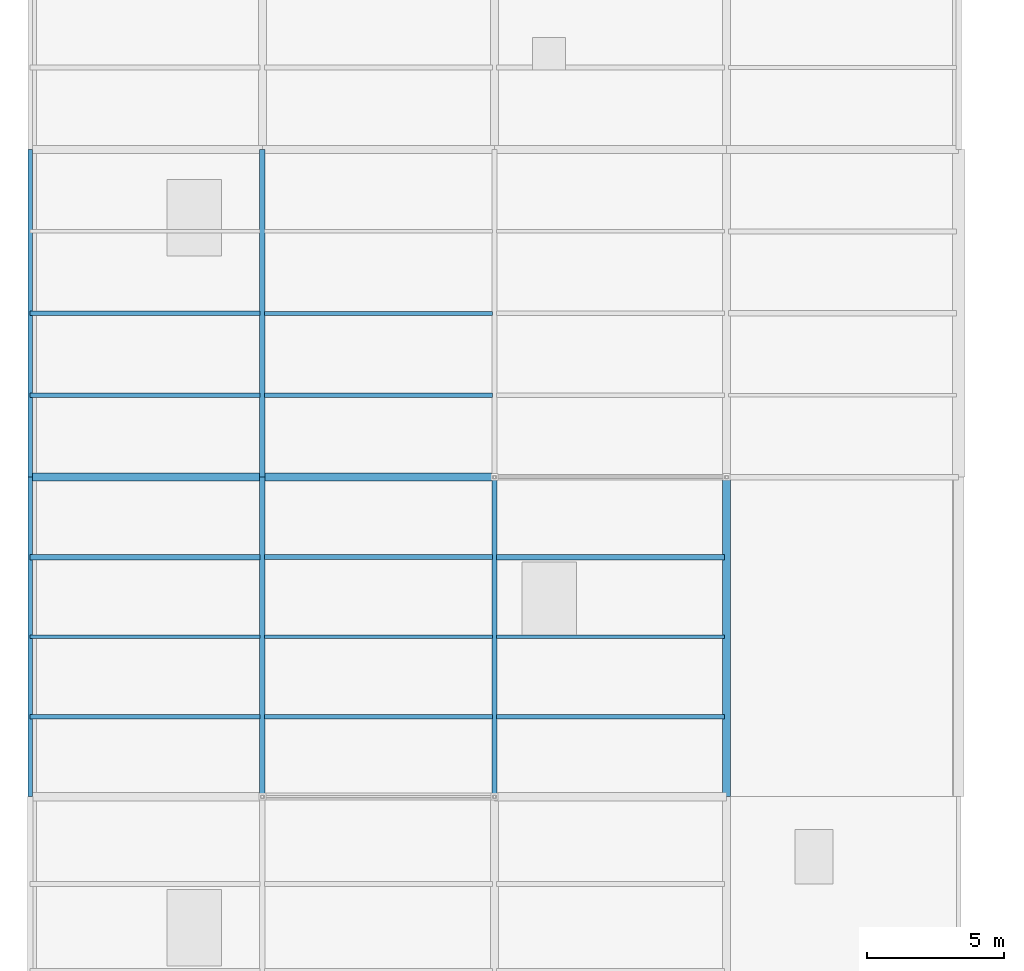
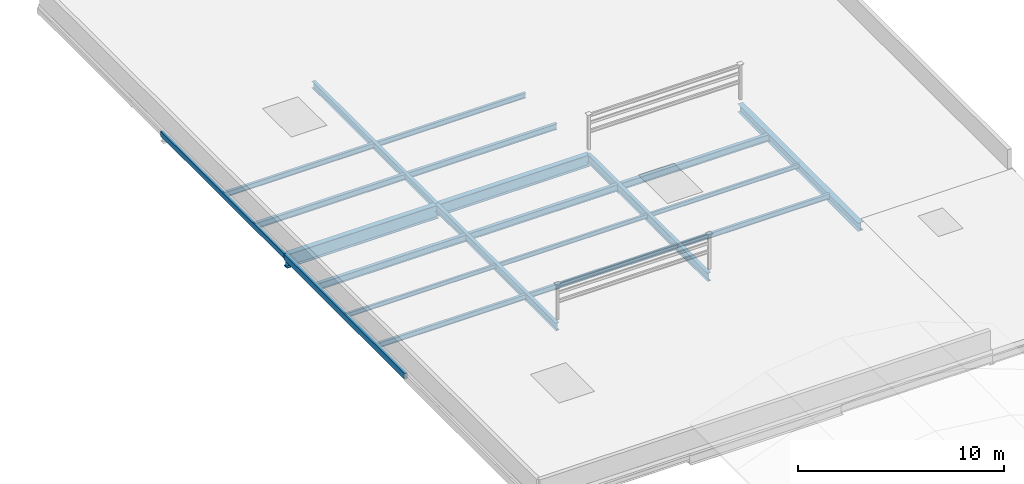
# One storey, part 12 of 66: 21 beams.
"""IFC4 building model written with IfcOpenShell, lengths in metres."""

from ifc_helpers import new_model, si_unit, direction, frame, origin, origin_2d, place, context, subcontext, project, spatial, hollow_rectangle, i_section, extrude, material, material_profile, profile_set, type_object, element, save


model = new_model("IFC4")

# Units and contexts
model_context = context("Model", 3, precision=1e-05, world=origin(), true_north=direction((0.0, 1.0)))
body_context = subcontext(model_context, "Body", "Model", "MODEL_VIEW")
ifc_project = project(units=[si_unit("LENGTHUNIT", "METRE"), si_unit("AREAUNIT", "SQUARE_METRE"), si_unit("VOLUMEUNIT", "CUBIC_METRE"), si_unit("PLANEANGLEUNIT", "RADIAN"), si_unit("MASSUNIT", "GRAM", prefix="KILO")], contexts=[model_context])

# Site, building, storey
site_placement = place(None, origin())
site = spatial("IfcSite", under=ifc_project, at=site_placement, CompositionType="ELEMENT")
building_placement = place(site_placement, origin())
building = spatial("IfcBuilding", under=site, at=building_placement, Name="Solvikara Media Centre", CompositionType="ELEMENT")
storey_placement = place(building_placement, frame((0.0, 0.0, 19.800048828125)))
storey = spatial("IfcBuildingStorey", under=building, at=storey_placement, Name="L04", CompositionType="ELEMENT", Elevation=19.800048828125)

# Beams
ifc_material = material(Name="Steel S355JR", Category="steel")
ifc_material_profile_1 = material_profile(ifc_material, i_section(OverallWidth=0.300048828125, OverallDepth=0.800048828125, WebThickness=0.013916015625, FlangeThickness=0.02587890625, at=origin_2d()), Name="WF 800x300x14x26")
ifc_profile_set_1 = profile_set([ifc_material_profile_1], Name="Steel S355JR")
beam_type_1 = type_object("IfcBeamType", Name="BM-16", PredefinedType="BEAM", material=ifc_profile_set_1)
beam_1_placement = place(storey_placement, frame((0.0, 56.5, -0.632080078125), z_axis=(1.0, 0.0, 0.0), x_axis=(0.0, 1.0, 0.0)))
element("IfcBeam", 1, at=beam_1_placement, inside=storey, type_object=beam_type_1, Name="B-L04-X1471", PredefinedType="BEAM", context=body_context, shape_type="SweptSolid", body=[
    extrude(i_section(OverallWidth=0.300048828125, OverallDepth=0.800048828125, WebThickness=0.013916015625, FlangeThickness=0.02587890625, at=origin_2d()), origin(), (0.0, 0.0, 1.0), 8.5),
])
ifc_material_profile_2 = material_profile(ifc_material, i_section(OverallWidth=0.300048828125, OverallDepth=0.699951171875, WebThickness=0.012939453125, FlangeThickness=0.02392578125, at=origin_2d()), Name="WF 700x300x13x24")
ifc_profile_set_2 = profile_set([ifc_material_profile_2], Name="Steel S355JR")
beam_type_2 = type_object("IfcBeamType", Name="BM-17", PredefinedType="BEAM", material=ifc_profile_set_2)
beam_2_placement = place(storey_placement, frame((8.5, 56.5, -0.58203125), z_axis=(1.0, 0.0, 0.0), x_axis=(0.0, 1.0, 0.0)))
element("IfcBeam", 2, at=beam_2_placement, inside=storey, type_object=beam_type_2, Name="B-L04-X1472", PredefinedType="BEAM", context=body_context, shape_type="SweptSolid", body=[
    extrude(i_section(OverallWidth=0.300048828125, OverallDepth=0.699951171875, WebThickness=0.012939453125, FlangeThickness=0.02392578125, at=origin_2d()), origin(), (0.0, 0.0, 1.0), 8.5),
])
ifc_material_profile_3 = material_profile(ifc_material, i_section(OverallWidth=0.199951171875, OverallDepth=0.5, WebThickness=0.010009765625, FlangeThickness=0.01611328125, at=origin_2d()), Name="WF 500x200x10x16")
ifc_profile_set_3 = profile_set([ifc_material_profile_3], Name="Steel S355JR")
beam_type_3 = type_object("IfcBeamType", Name="BM-19", PredefinedType="BEAM", material=ifc_profile_set_3)
beam_3_placement = place(storey_placement, frame((17.0, 44.800048828125, -0.48193359375), z_axis=(0.0, 1.0, 0.0), x_axis=(-1.0, 0.0, 0.0)))
element("IfcBeam", 3, at=beam_3_placement, inside=storey, type_object=beam_type_3, Name="B-L04-Y1501", PredefinedType="BEAM", context=body_context, shape_type="SweptSolid", body=[
    extrude(i_section(OverallWidth=0.199951171875, OverallDepth=0.5, WebThickness=0.010009765625, FlangeThickness=0.01611328125, at=origin_2d()), origin(), (0.0, 0.0, 1.0), 11.699951171875),
])
ifc_material_profile_4 = material_profile(ifc_material, i_section(OverallWidth=0.199951171875, OverallDepth=0.39990234375, WebThickness=0.008056640625, FlangeThickness=0.012939453125, at=origin_2d()), Name="WF 400x200x8x13")
ifc_profile_set_4 = profile_set([ifc_material_profile_4], Name="Steel S355JR")
beam_type_4 = type_object("IfcBeamType", Name="BM-21", PredefinedType="JOIST", material=ifc_profile_set_4)
beam_4_placement = place(storey_placement, frame((0.0, 53.574951171875, -0.43212890625), z_axis=(1.0, 0.0, 0.0), x_axis=(0.0, 1.0, 0.0)))
element("IfcBeam", 4, at=beam_4_placement, inside=storey, type_object=beam_type_4, Name="J-L04-1553", PredefinedType="JOIST", context=body_context, shape_type="SweptSolid", body=[
    extrude(i_section(OverallWidth=0.199951171875, OverallDepth=0.39990234375, WebThickness=0.008056640625, FlangeThickness=0.012939453125, at=origin_2d()), origin(), (0.0, 0.0, 1.0), 8.422119140625),
])
beam_5_placement = place(storey_placement, frame((17.077880859375, 53.574951171875, -0.43212890625), z_axis=(1.0, 0.0, 0.0), x_axis=(0.0, 1.0, 0.0)))
element("IfcBeam", 5, at=beam_5_placement, inside=storey, type_object=beam_type_4, Name="J-L04-1577", PredefinedType="JOIST", context=body_context, shape_type="SweptSolid", body=[
    extrude(i_section(OverallWidth=0.199951171875, OverallDepth=0.39990234375, WebThickness=0.008056640625, FlangeThickness=0.012939453125, at=origin_2d()), origin(), (0.0, 0.0, 1.0), 8.34423828125),
])
ifc_material_profile_5 = material_profile(ifc_material, i_section(OverallWidth=0.175048828125, OverallDepth=0.35009765625, WebThickness=0.007080078125, FlangeThickness=0.010986328125, at=origin_2d()), Name="WF 350x175x7x11")
ifc_profile_set_5 = profile_set([ifc_material_profile_5], Name="Steel S355JR")
beam_type_5 = type_object("IfcBeamType", Name="BM-22", PredefinedType="JOIST", material=ifc_profile_set_5)
beam_6_placement = place(storey_placement, frame((0.0, 59.5, -0.406982421875), z_axis=(1.0, 0.0, 0.0), x_axis=(0.0, 1.0, 0.0)))
element("IfcBeam", 6, at=beam_6_placement, inside=storey, type_object=beam_type_5, Name="J-L04-1554", PredefinedType="JOIST", context=body_context, shape_type="SweptSolid", body=[
    extrude(i_section(OverallWidth=0.175048828125, OverallDepth=0.35009765625, WebThickness=0.007080078125, FlangeThickness=0.010986328125, at=origin_2d()), origin(), (0.0, 0.0, 1.0), 8.422119140625),
])
ifc_material_profile_6 = material_profile(ifc_material, i_section(OverallWidth=0.14990234375, OverallDepth=0.300048828125, WebThickness=0.006591796875, FlangeThickness=0.009033203125, at=origin_2d()), Name="WF 300x150x6.5x9")
ifc_profile_set_6 = profile_set([ifc_material_profile_6], Name="Steel S355JR")
beam_type_6 = type_object("IfcBeamType", Name="BM-23", PredefinedType="JOIST", material=ifc_profile_set_6)
beam_7_placement = place(storey_placement, frame((0.0, 62.5, -0.382080078125), z_axis=(1.0, 0.0, 0.0), x_axis=(0.0, 1.0, 0.0)))
element("IfcBeam", 7, at=beam_7_placement, inside=storey, type_object=beam_type_6, Name="J-L04-1555", PredefinedType="JOIST", context=body_context, shape_type="SweptSolid", body=[
    extrude(i_section(OverallWidth=0.14990234375, OverallDepth=0.300048828125, WebThickness=0.006591796875, FlangeThickness=0.009033203125, at=origin_2d()), origin(), (0.0, 0.0, 1.0), 8.422119140625),
])
beam_8_placement = place(storey_placement, frame((8.577880859375, 47.72509765625, -0.382080078125), z_axis=(1.0, 0.0, 0.0), x_axis=(0.0, 1.0, 0.0)))
element("IfcBeam", 8, at=beam_8_placement, inside=storey, type_object=beam_type_6, Name="J-L04-1563", PredefinedType="JOIST", context=body_context, shape_type="SweptSolid", body=[
    extrude(i_section(OverallWidth=0.14990234375, OverallDepth=0.300048828125, WebThickness=0.006591796875, FlangeThickness=0.009033203125, at=origin_2d()), origin(), (0.0, 0.0, 1.0), 8.34423828125),
])
ifc_material_profile_7 = material_profile(ifc_material, i_section(OverallWidth=0.125, OverallDepth=0.25, WebThickness=0.006103515625, FlangeThickness=0.009033203125, at=origin_2d()), Name="WF 250x125x6x9")
ifc_profile_set_7 = profile_set([ifc_material_profile_7], Name="Steel S355JR")
beam_type_7 = type_object("IfcBeamType", Name="BM-24", PredefinedType="JOIST", material=ifc_profile_set_7)
beam_9_placement = place(storey_placement, frame((8.577880859375, 50.64990234375, -0.35693359375), z_axis=(1.0, 0.0, 0.0), x_axis=(0.0, 1.0, 0.0)))
element("IfcBeam", 9, at=beam_9_placement, inside=storey, type_object=beam_type_7, Name="J-L04-1564", PredefinedType="JOIST", context=body_context, shape_type="SweptSolid", body=[
    extrude(i_section(OverallWidth=0.125, OverallDepth=0.25, WebThickness=0.006103515625, FlangeThickness=0.009033203125, at=origin_2d()), origin(), (0.0, 0.0, 1.0), 8.34423828125),
])
ifc_material_profile_8 = material_profile(ifc_material, i_section(OverallWidth=0.300048828125, OverallDepth=0.488037109375, WebThickness=0.010986328125, FlangeThickness=0.01806640625, at=origin_2d()), Name="H 488x300x11x18")
ifc_profile_set_8 = profile_set([ifc_material_profile_8], Name="Steel S355JR")
beam_type_8 = type_object("IfcBeamType", Name="BM-27", PredefinedType="BEAM", material=ifc_profile_set_8)
beam_10_placement = place(storey_placement, frame((25.5, 44.800048828125, -0.47607421875), z_axis=(0.0, 1.0, 0.0), x_axis=(-1.0, 0.0, 0.0)))
element("IfcBeam", 10, at=beam_10_placement, inside=storey, type_object=beam_type_8, Name="B-L04-Y1505", PredefinedType="BEAM", context=body_context, shape_type="SweptSolid", body=[
    extrude(i_section(OverallWidth=0.300048828125, OverallDepth=0.488037109375, WebThickness=0.010986328125, FlangeThickness=0.01806640625, at=origin_2d()), origin(), (0.0, 0.0, 1.0), 11.699951171875),
])
ifc_material_profile_9 = material_profile(ifc_material, hollow_rectangle(XDim=0.175048828125, YDim=0.35009765625, WallThickness=0.010009765625, at=origin_2d()), Name="RHS 350x175x10")
ifc_profile_set_9 = profile_set([ifc_material_profile_9], Name="Steel S355JR")
beam_type_9 = type_object("IfcBeamType", Name="BM-34", PredefinedType="SPANDREL", material=ifc_profile_set_9)
beam_11_placement = place(storey_placement, frame((0.0, 44.800048828125, -0.406982421875), z_axis=(0.0, 1.0, 0.0), x_axis=(-1.0, 0.0, 0.0)))
element("IfcBeam", 11, at=beam_11_placement, inside=storey, type_object=beam_type_9, Name="B-L04-Y1492", PredefinedType="SPANDREL", context=body_context, shape_type="SweptSolid", body=[
    extrude(hollow_rectangle(XDim=0.175048828125, YDim=0.35009765625, WallThickness=0.010009765625, at=origin_2d()), origin(), (0.0, 0.0, 1.0), 11.699951171875),
])
ifc_material_profile_10 = material_profile(ifc_material, hollow_rectangle(XDim=0.14990234375, YDim=0.300048828125, WallThickness=0.010009765625, at=origin_2d()), Name="RHS 300x150x10")
ifc_profile_set_10 = profile_set([ifc_material_profile_10], Name="Steel S355JR")
beam_type_10 = type_object("IfcBeamType", Name="BM-35", PredefinedType="BEAM", material=ifc_profile_set_10)
beam_12_placement = place(storey_placement, frame((0.0, 56.5, -0.382080078125), z_axis=(0.0, 1.0, 0.0), x_axis=(-1.0, 0.0, 0.0)))
element("IfcBeam", 12, at=beam_12_placement, inside=storey, type_object=beam_type_10, Name="B-L04-Y1493", PredefinedType="BEAM", context=body_context, shape_type="SweptSolid", body=[
    extrude(hollow_rectangle(XDim=0.14990234375, YDim=0.300048828125, WallThickness=0.010009765625, at=origin_2d()), origin(), (0.0, 0.0, 1.0), 12.0),
])
ifc_material_profile_11 = material_profile(ifc_material, i_section(OverallWidth=0.198974609375, OverallDepth=0.39599609375, WebThickness=0.007080078125, FlangeThickness=0.010986328125, at=origin_2d()), Name="WF 396x199x7x11")
ifc_profile_set_11 = profile_set([ifc_material_profile_11], Name="Steel S355JR")
beam_type_11 = type_object("IfcBeamType", Name="BM-37", PredefinedType="JOIST", material=ifc_profile_set_11)
beam_13_placement = place(storey_placement, frame((8.577880859375, 53.574951171875, -0.429931640625), z_axis=(1.0, 0.0, 0.0), x_axis=(0.0, 1.0, 0.0)))
element("IfcBeam", 13, at=beam_13_placement, inside=storey, type_object=beam_type_11, Name="J-L04-1565", PredefinedType="JOIST", context=body_context, shape_type="SweptSolid", body=[
    extrude(i_section(OverallWidth=0.198974609375, OverallDepth=0.39599609375, WebThickness=0.007080078125, FlangeThickness=0.010986328125, at=origin_2d()), origin(), (0.0, 0.0, 1.0), 8.34423828125),
])
ifc_material_profile_12 = material_profile(ifc_material, i_section(OverallWidth=0.174072265625, OverallDepth=0.345947265625, WebThickness=0.006103515625, FlangeThickness=0.009033203125, at=origin_2d()), Name="WF 346x174x6x9")
ifc_profile_set_12 = profile_set([ifc_material_profile_12], Name="Steel S355JR")
beam_type_12 = type_object("IfcBeamType", Name="BM-38", PredefinedType="JOIST", material=ifc_profile_set_12)
beam_14_placement = place(storey_placement, frame((8.577880859375, 59.5, -0.405029296875), z_axis=(1.0, 0.0, 0.0), x_axis=(0.0, 1.0, 0.0)))
element("IfcBeam", 14, at=beam_14_placement, inside=storey, type_object=beam_type_12, Name="J-L04-1566", PredefinedType="JOIST", context=body_context, shape_type="SweptSolid", body=[
    extrude(i_section(OverallWidth=0.174072265625, OverallDepth=0.345947265625, WebThickness=0.006103515625, FlangeThickness=0.009033203125, at=origin_2d()), origin(), (0.0, 0.0, 1.0), 8.34423828125),
])
ifc_material_profile_13 = material_profile(ifc_material, i_section(OverallWidth=0.14892578125, OverallDepth=0.298095703125, WebThickness=0.005615234375, FlangeThickness=0.008056640625, at=origin_2d()), Name="WF 298x149x5.5x8")
ifc_profile_set_13 = profile_set([ifc_material_profile_13], Name="Steel S355JR")
beam_type_13 = type_object("IfcBeamType", Name="BM-39", PredefinedType="JOIST", material=ifc_profile_set_13)
beam_15_placement = place(storey_placement, frame((0.0, 47.72509765625, -0.381103515625), z_axis=(1.0, 0.0, 0.0), x_axis=(0.0, 1.0, 0.0)))
element("IfcBeam", 15, at=beam_15_placement, inside=storey, type_object=beam_type_13, Name="J-L04-1551", PredefinedType="JOIST", context=body_context, shape_type="SweptSolid", body=[
    extrude(i_section(OverallWidth=0.14892578125, OverallDepth=0.298095703125, WebThickness=0.005615234375, FlangeThickness=0.008056640625, at=origin_2d()), origin(), (0.0, 0.0, 1.0), 8.422119140625),
])
for number, where, z_axis, x_axis, name in (
    (16, (8.577880859375, 62.5, -0.381103515625), (1.0, 0.0, 0.0), (0.0, 1.0, 0.0), "J-L04-1567"),
    (17, (17.077880859375, 47.72509765625, -0.381103515625), (1.0, 0.0, 0.0), (0.0, 1.0, 0.0), "J-L04-1575"),
):
    element("IfcBeam", number, at=place(storey_placement, frame(where, z_axis=z_axis, x_axis=x_axis)), inside=storey, type_object=beam_type_13, Name=name, PredefinedType="JOIST", context=body_context, shape_type="SweptSolid", body=[
        extrude(i_section(OverallWidth=0.14892578125, OverallDepth=0.298095703125, WebThickness=0.005615234375, FlangeThickness=0.008056640625, at=origin_2d()), origin(), (0.0, 0.0, 1.0), 8.34423828125),
    ])
ifc_material_profile_14 = material_profile(ifc_material, i_section(OverallWidth=0.1240234375, OverallDepth=0.248046875, WebThickness=0.0048828125, FlangeThickness=0.008056640625, at=origin_2d()), Name="WF 248x124x5x8")
ifc_profile_set_14 = profile_set([ifc_material_profile_14], Name="Steel S355JR")
beam_type_14 = type_object("IfcBeamType", Name="BM-40", PredefinedType="JOIST", material=ifc_profile_set_14)
beam_16_placement = place(storey_placement, frame((0.0, 50.64990234375, -0.35595703125), z_axis=(1.0, 0.0, 0.0), x_axis=(0.0, 1.0, 0.0)))
element("IfcBeam", 18, at=beam_16_placement, inside=storey, type_object=beam_type_14, Name="J-L04-1552", PredefinedType="JOIST", context=body_context, shape_type="SweptSolid", body=[
    extrude(i_section(OverallWidth=0.1240234375, OverallDepth=0.248046875, WebThickness=0.0048828125, FlangeThickness=0.008056640625, at=origin_2d()), origin(), (0.0, 0.0, 1.0), 8.422119140625),
])
beam_17_placement = place(storey_placement, frame((17.077880859375, 50.64990234375, -0.35595703125), z_axis=(1.0, 0.0, 0.0), x_axis=(0.0, 1.0, 0.0)))
element("IfcBeam", 19, at=beam_17_placement, inside=storey, type_object=beam_type_14, Name="J-L04-1576", PredefinedType="JOIST", context=body_context, shape_type="SweptSolid", body=[
    extrude(i_section(OverallWidth=0.1240234375, OverallDepth=0.248046875, WebThickness=0.0048828125, FlangeThickness=0.008056640625, at=origin_2d()), origin(), (0.0, 0.0, 1.0), 8.34423828125),
])
ifc_material_profile_15 = material_profile(ifc_material, i_section(OverallWidth=0.198974609375, OverallDepth=0.446044921875, WebThickness=0.008056640625, FlangeThickness=0.011962890625, at=origin_2d()), Name="H 446x199x8x12")
ifc_profile_set_15 = profile_set([ifc_material_profile_15], Name="Steel S355JR")
beam_type_15 = type_object("IfcBeamType", Name="BM-43", PredefinedType="BEAM", material=ifc_profile_set_15)
beam_18_placement = place(storey_placement, frame((8.5, 44.800048828125, -0.455078125), z_axis=(0.0, 1.0, 0.0), x_axis=(-1.0, 0.0, 0.0)))
element("IfcBeam", 20, at=beam_18_placement, inside=storey, type_object=beam_type_15, Name="B-L04-Y1497", PredefinedType="BEAM", context=body_context, shape_type="SweptSolid", body=[
    extrude(i_section(OverallWidth=0.198974609375, OverallDepth=0.446044921875, WebThickness=0.008056640625, FlangeThickness=0.011962890625, at=origin_2d()), origin(), (0.0, 0.0, 1.0), 11.699951171875),
])
ifc_material_profile_16 = material_profile(ifc_material, i_section(OverallWidth=0.198974609375, OverallDepth=0.39599609375, WebThickness=0.007080078125, FlangeThickness=0.010986328125, at=origin_2d()), Name="H 396x199x7x11")
ifc_profile_set_16 = profile_set([ifc_material_profile_16], Name="Steel S355JR")
beam_type_16 = type_object("IfcBeamType", Name="BM-44", PredefinedType="BEAM", material=ifc_profile_set_16)
beam_19_placement = place(storey_placement, frame((8.5, 56.5, -0.429931640625), z_axis=(0.0, 1.0, 0.0), x_axis=(-1.0, 0.0, 0.0)))
element("IfcBeam", 21, at=beam_19_placement, inside=storey, type_object=beam_type_16, Name="B-L04-Y1498", PredefinedType="BEAM", context=body_context, shape_type="SweptSolid", body=[
    extrude(i_section(OverallWidth=0.198974609375, OverallDepth=0.39599609375, WebThickness=0.007080078125, FlangeThickness=0.010986328125, at=origin_2d()), origin(), (0.0, 0.0, 1.0), 12.0),
])

save(model, "model.ifc")
